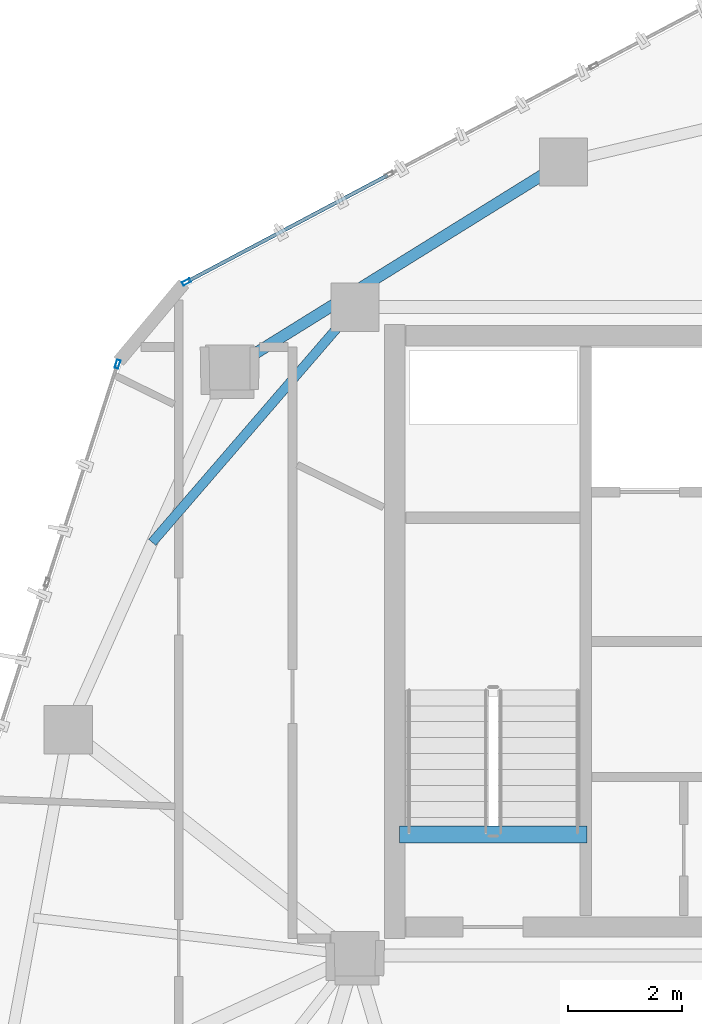
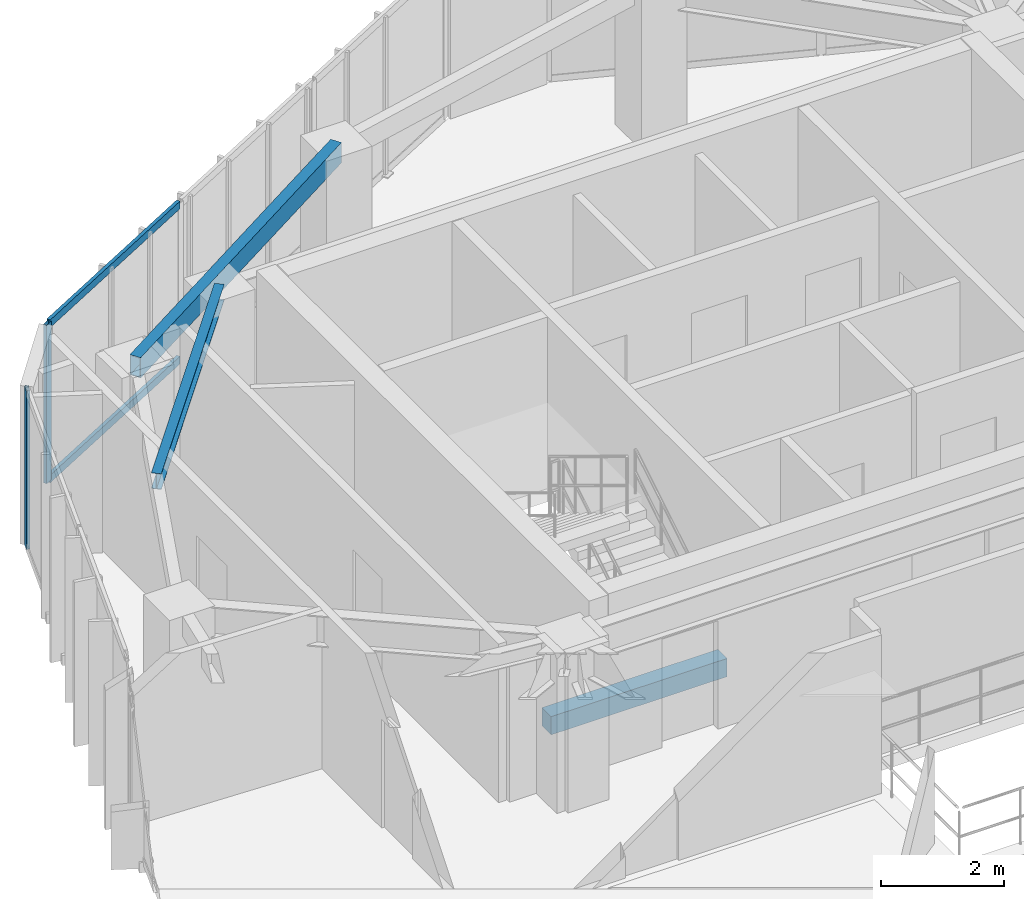
# One storey, part 9 of 20: 4 members, 3 beams, 2 elements without a shape of their own.
"""IFC4 building model written with IfcOpenShell, lengths in metres."""

from ifc_helpers import new_model, si_unit, direction, frame, origin, origin_2d, place, context, subcontext, project, spatial, rectangle, hollow_rectangle, i_section, extrude, source, transform, mapped, material, layer, layer_set, material_profile, profile_set, type_object, type_shapes, element, aggregate, save


model = new_model("IFC4")

# Units and contexts
model_context = context("Model", 3, precision=1e-05, world=origin(), true_north=direction((0.0, 1.0)))
body_context = subcontext(model_context, "Body", "Model", "MODEL_VIEW")
ifc_project = project(units=[si_unit("LENGTHUNIT", "METRE"), si_unit("AREAUNIT", "SQUARE_METRE"), si_unit("VOLUMEUNIT", "CUBIC_METRE"), si_unit("PLANEANGLEUNIT", "RADIAN"), si_unit("MASSUNIT", "GRAM", prefix="KILO")], contexts=[model_context])

# Site, building, storey
site_placement = place(None, origin())
site = spatial("IfcSite", under=ifc_project, at=site_placement, CompositionType="ELEMENT")
building_placement = place(site_placement, origin())
building = spatial("IfcBuilding", under=site, at=building_placement, Name="Talar Marvaseh", CompositionType="ELEMENT")
storey_placement = place(building_placement, frame((0.0, 0.0, 261.199951171875)))
storey = spatial("IfcBuildingStorey", under=building, at=storey_placement, Name="L69", CompositionType="ELEMENT", Elevation=261.199951171875)

# Beams
ifc_material_1 = material(Name="Concrete C40/50", Category="concrete")
ifc_material_profile_1 = material_profile(ifc_material_1, rectangle(XDim=0.300048828125, YDim=0.360107421875, at=origin_2d()), Name="RC300x360")
ifc_profile_set_1 = profile_set([ifc_material_profile_1], Name="Concrete C40/50")
beam_type_1 = type_object("IfcBeamType", Name="Concrete Stair Landing Trimmer Beam RC300x360", PredefinedType="SPANDREL", material=ifc_profile_set_1)
beam_1_placement = place(storey_placement, frame((22.780029296875, 27.6298828125, -0.179931640625), z_axis=(-1.0, 0.0, 0.0), x_axis=(0.0, -1.0, 0.0)))
element("IfcBeam", 1, at=beam_1_placement, inside=storey, type_object=beam_type_1, Name="L69 ST-1 Stair Nosing Trimmer Beam", PredefinedType="SPANDREL", context=body_context, shape_type="SweptSolid", body=[
    extrude(rectangle(XDim=0.300048828125, YDim=0.360107421875, at=origin_2d()), origin(), (0.0, 0.0, 1.0), 3.300048828125),
])
ifc_material_2 = material(Name="Steel S355", Category="steel")
ifc_material_profile_2 = material_profile(ifc_material_2, hollow_rectangle(XDim=0.199951171875, YDim=0.39990234375, WallThickness=0.013916015625, at=origin_2d()), Name="RHS400x200x14")
ifc_profile_set_2 = profile_set([ifc_material_profile_2], Name="Steel S355")
beam_type_2 = type_object("IfcBeamType", Name="Zone 3 Perimeter Spandrel Beam RHS400x200x14", PredefinedType="SPANDREL", material=ifc_profile_set_2)
beam_2_placement = place(storey_placement, frame((16.493896484375, 35.806884765625, 2.93994140625), z_axis=(0.849439811678, 0.527685518407, 0.0), x_axis=(-0.527685518407, 0.849439811678, 0.0)))
element("IfcBeam", 2, at=beam_2_placement, inside=storey, type_object=beam_type_2, Name="L69 Zone 3 Perimeter Spandrel Beam RHS400x200x14", PredefinedType="SPANDREL", context=body_context, shape_type="SweptSolid", body=[
    extrude(hollow_rectangle(XDim=0.199951171875, YDim=0.39990234375, WallThickness=0.013916015625, at=origin_2d()), origin(), (0.0, 0.0, 1.0), 6.91162109375),
])
ifc_material_profile_3 = material_profile(ifc_material_2, i_section(OverallWidth=0.166015625, OverallDepth=0.31298828125, WebThickness=0.006591796875, FlangeThickness=0.01123046875, at=origin_2d()), Name="W310x45")
ifc_profile_set_3 = profile_set([ifc_material_profile_3], Name="Steel S355")
beam_type_3 = type_object("IfcBeamType", Name="Zone 3 Secondary Floor Joist W310x45", PredefinedType="JOIST", material=ifc_profile_set_3)
beam_3_placement = place(storey_placement, frame((15.1328125, 32.76513671875, 2.983642578125), z_axis=(0.653221697747, 0.757166701323, 0.0), x_axis=(-0.757166701323, 0.653221697747, 0.0)))
element("IfcBeam", 3, at=beam_3_placement, inside=storey, type_object=beam_type_3, Name="L69 Zone 3 Secondary Floor Joist W310x45", PredefinedType="JOIST", context=body_context, shape_type="SweptSolid", body=[
    extrude(i_section(OverallWidth=0.166015625, OverallDepth=0.31298828125, WebThickness=0.006591796875, FlangeThickness=0.01123046875, at=origin_2d()), origin(), (0.0, 0.0, 1.0), 5.4609375),
])

# Curtain wall, member
ifc_material_3 = material(Name="Architectural Aluminium", Category="aluminium")
ifc_layer = layer(ifc_material_3, 0.179931640625)
ifc_layer_set = layer_set([ifc_layer], Name="Architectural Aluminium")
curtain_wall_type = type_object("IfcCurtainWallType", Name="Unitised High-Wind Sky Curtain Wall Z4", PredefinedType="NOTDEFINED", material=ifc_layer_set)
curtain_wall_1_placement = place(storey_placement, origin())
curtain_wall_1 = element("IfcCurtainWall", 4, at=curtain_wall_1_placement, inside=storey, type_object=curtain_wall_type, Name="L69 Unitised High-Wind Sky Curtain Wall Z4", PredefinedType="NOTDEFINED")
ifc_material_profile_4 = material_profile(ifc_material_3, hollow_rectangle(XDim=0.06494140625, YDim=0.14990234375, WallThickness=0.00390625, at=origin_2d()), Name="RHS150x65x4")
ifc_profile_set_4 = profile_set([ifc_material_profile_4], Name="Architectural Aluminium")
member_type_1 = type_object("IfcMemberType", Name="Unitised Curtain Wall Slim Mullion RHS150x65x4", PredefinedType="MULLION", material=ifc_profile_set_4)
shared_shape_1 = source(origin(), body_context, "Body", "SweptSolid", [
    extrude(hollow_rectangle(XDim=0.06494140625, YDim=0.14990234375, WallThickness=0.00390625, at=origin_2d()), origin(), (0.0, 0.0, 1.0), 3.14013671875),
])
type_shapes(member_type_1, [shared_shape_1])
member_1_placement = place(storey_placement, frame((14.523681640625, 35.89892578125, 0.0), z_axis=(0.0, 0.0, 1.0), x_axis=(-0.951422427346, 0.307888558966, 0.0)))
member_1 = element("IfcMember", 5, at=member_1_placement, type_object=member_type_1, Name="CW-Z4 mullion 4", PredefinedType="MULLION", context=body_context, shape_type="MappedRepresentation", body=[
    mapped(shared_shape_1, transform((0.0, 0.0, 0.0), x_axis=(1.0, 0.0, 0.0), y_axis=(0.0, 1.0, 0.0), z_axis=(0.0, 0.0, 1.0), scale=1.0)),
])
aggregate(curtain_wall_1, [member_1])

# Curtain wall, members
curtain_wall_2_placement = place(storey_placement, origin())
curtain_wall_2 = element("IfcCurtainWall", 6, at=curtain_wall_2_placement, inside=storey, type_object=curtain_wall_type, Name="L69 Unitised High-Wind Sky Curtain Wall Z4", PredefinedType="NOTDEFINED")
member_2_placement = place(storey_placement, frame((15.73583984375, 37.343505859375, 0.0), z_axis=(0.0, 0.0, 1.0), x_axis=(-0.468420274674, 0.883505770369, 0.0)))
member_2 = element("IfcMember", 7, at=member_2_placement, type_object=member_type_1, Name="CW-Z4 mullion 1", PredefinedType="MULLION", context=body_context, shape_type="MappedRepresentation", body=[
    mapped(shared_shape_1, transform((0.0, 0.0, 0.0), x_axis=(1.0, 0.0, 0.0), y_axis=(0.0, 1.0, 0.0), z_axis=(0.0, 0.0, 1.0), scale=1.0)),
])
ifc_material_profile_5 = material_profile(ifc_material_3, hollow_rectangle(XDim=0.06494140625, YDim=0.14990234375, WallThickness=0.00390625, at=origin_2d()), Name="RHS150x65x4")
ifc_profile_set_5 = profile_set([ifc_material_profile_5], Name="Architectural Aluminium")
member_type_2 = type_object("IfcMemberType", Name="Unitised Curtain Wall Slim Transom RHS150x65x4", PredefinedType="USERDEFINED", material=ifc_profile_set_5)
shared_shape_2 = source(origin(), body_context, "Body", "SweptSolid", [
    extrude(hollow_rectangle(XDim=0.06494140625, YDim=0.14990234375, WallThickness=0.00390625, at=origin_2d()), origin(), (0.0, 0.0, 1.0), 3.970947265625),
])
type_shapes(member_type_2, [shared_shape_2])
member_3_placement = place(storey_placement, frame((15.7646484375, 37.35888671875, 0.032470703125), z_axis=(0.883499114213, 0.468432828893, 0.0), x_axis=(-0.468432828893, 0.883499114213, 0.0)))
member_3 = element("IfcMember", 8, at=member_3_placement, type_object=member_type_2, Name="CW-Z4 transom 1.1", ObjectType="TRANSOM", PredefinedType="USERDEFINED", context=body_context, shape_type="MappedRepresentation", body=[
    mapped(shared_shape_2, transform((0.0, 0.0, 0.0), x_axis=(1.0, 0.0, 0.0), y_axis=(0.0, 1.0, 0.0), z_axis=(0.0, 0.0, 1.0), scale=1.0)),
])
member_4_placement = place(storey_placement, frame((15.7646484375, 37.35888671875, 3.107666015625), z_axis=(0.883499114213, 0.468432828893, 0.0), x_axis=(-0.468432828893, 0.883499114213, 0.0)))
member_4 = element("IfcMember", 9, at=member_4_placement, type_object=member_type_2, Name="CW-Z4 transom 1.2", ObjectType="TRANSOM", PredefinedType="USERDEFINED", context=body_context, shape_type="MappedRepresentation", body=[
    mapped(shared_shape_2, transform((0.0, 0.0, 0.0), x_axis=(1.0, 0.0, 0.0), y_axis=(0.0, 1.0, 0.0), z_axis=(0.0, 0.0, 1.0), scale=1.0)),
])
aggregate(curtain_wall_2, [member_2, member_3, member_4])

save(model, "model.ifc")
